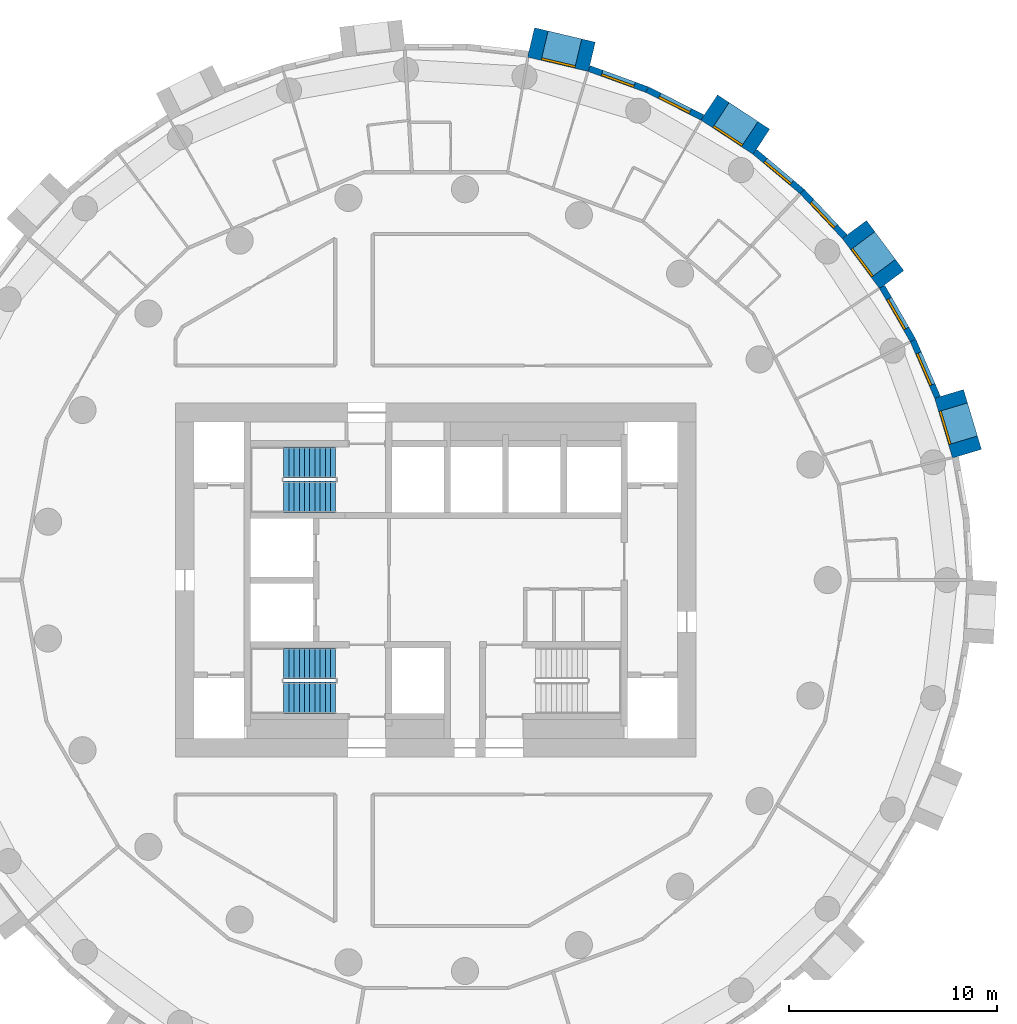
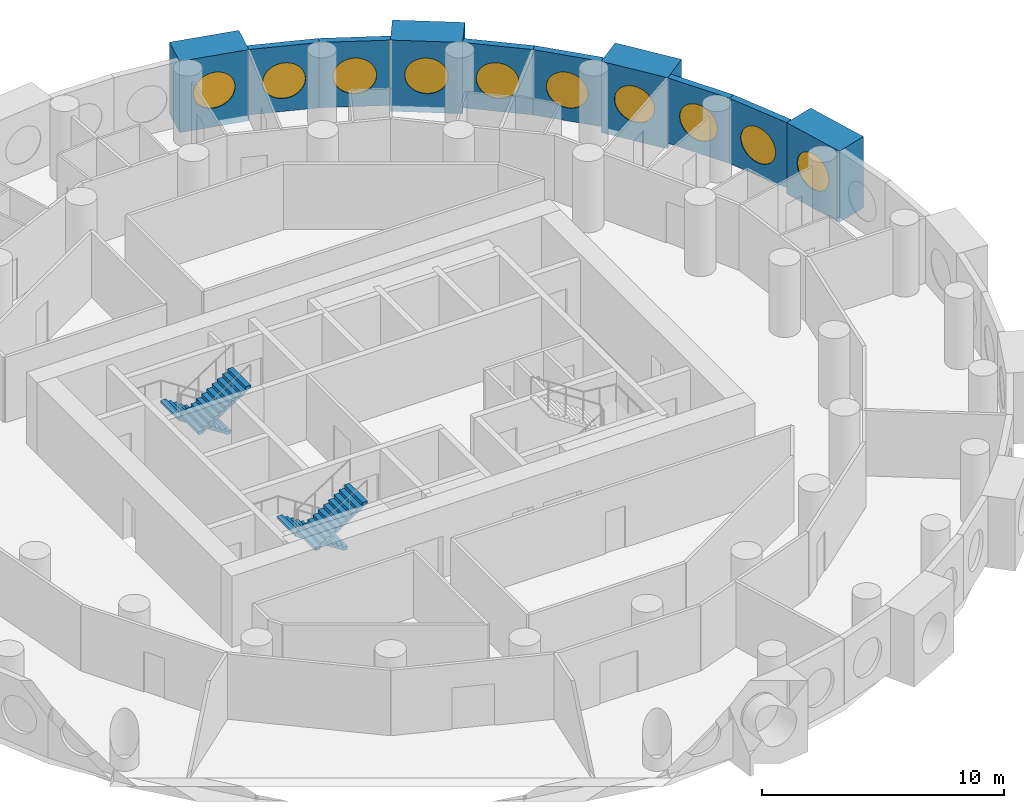
# One storey, part 8 of 10: 10 walls, 10 windows, 4 stair flights, 10 openings, 2 elements without a shape of their own.
"""IFC4 building model written with IfcOpenShell, lengths in metres."""

from ifc_helpers import new_model, si_unit, direction, frame, frame_2d, origin, origin_2d, place, context, subcontext, project, spatial, polyline, rectangle, circle, outline, extrude, material, layer, layer_set, type_object, element, fill, aggregate, save


model = new_model("IFC4")

# Units and contexts
model_context = context("Model", 3, precision=1e-05, world=origin(), true_north=direction((0.0, 1.0)))
body_context = subcontext(model_context, "Body", "Model", "MODEL_VIEW")
ifc_project = project(units=[si_unit("LENGTHUNIT", "METRE"), si_unit("AREAUNIT", "SQUARE_METRE"), si_unit("VOLUMEUNIT", "CUBIC_METRE"), si_unit("PLANEANGLEUNIT", "RADIAN"), si_unit("MASSUNIT", "GRAM", prefix="KILO")], contexts=[model_context])

# Site, building, storey
site_placement = place(None, origin())
site = spatial("IfcSite", under=ifc_project, at=site_placement, CompositionType="ELEMENT")
building_placement = place(site_placement, origin())
building = spatial("IfcBuilding", under=site, at=building_placement, Name="Tracery Tower", CompositionType="ELEMENT")
storey_placement = place(building_placement, frame((0.0, 0.0, 133.199951171875)))
storey = spatial("IfcBuildingStorey", under=building, at=storey_placement, Name="L33", CompositionType="ELEMENT", Elevation=133.199951171875)

# Wall, opening, window
ifc_material_1 = material(Name="Precast concrete C50/60", Category="concrete")
ifc_layer_1 = layer(ifc_material_1, 1.449951171875)
ifc_layer_set_1 = layer_set([ifc_layer_1], Name="Deep-set bay unit 3000 x 3600, slab edge 300")
wall_type_1 = type_object("IfcWallType", Name="Deep-set bay unit 3000 x 3600, slab edge 300", PredefinedType="ELEMENTEDWALL", material=ifc_layer_set_1)
wall_1_placement = place(storey_placement, frame((25.509521484375, 6.0712890625, -0.300048828125), z_axis=(0.0, 0.0, 1.0), x_axis=(-0.286780420304, 0.957996341606, 0.0)))
wall_1 = element("IfcWall", 1, at=wall_1_placement, inside=storey, type_object=wall_type_1, Name="Deep-set bay unit 3 at L33", PredefinedType="ELEMENTEDWALL", context=body_context, shape_type="SweptSolid", body=[
    extrude(rectangle(XDim=3.0, YDim=1.449951171875, at=frame_2d((1.5, 0.0))), origin(), (0.0, 0.0, 1.0), 3.60009765625),
])
opening_1_placement = place(wall_1_placement, frame((1.5, 0.0, 1.85009765625)))
opening_1 = element("IfcOpeningElement", 2, at=opening_1_placement, cuts=wall_1, Name="Opening WN1", PredefinedType="OPENING", context=body_context, shape_type="SweptSolid", body=[
    extrude(circle(Radius=0.9000244140625, at=origin_2d()), frame((0.0, 0.73486328125, 0.0), z_axis=(0.0, -1.0, 0.0), x_axis=(1.0, 0.0, 0.0)), (0.0, 0.0, 1.0), 1.469970703125),
])
ifc_material_2 = material(Name="Aluminium frame with tinted double glazing", Category="aluminium")
window_type = type_object("IfcWindowType", Name="Round window 1800", PartitioningType="SINGLE_PANEL", PredefinedType="WINDOW", material=ifc_material_2)
window_1_placement = place(opening_1_placement, origin())
window_1 = element("IfcWindow", 3, at=window_1_placement, inside=storey, type_object=window_type, Name="Round window 3 at L33", OverallHeight=1.800048828125, OverallWidth=1.800048828125, PartitioningType="SINGLE_PANEL", PredefinedType="WINDOW", context=body_context, shape_type="SweptSolid", body=[
    extrude(circle(Radius=0.9000244140625, at=origin_2d()), frame((0.0, 0.69482421875, 0.0), z_axis=(0.0, -1.0, 0.0), x_axis=(1.0, 0.0, 0.0)), (0.0, 0.0, 1.0), 0.10009765625),
])
fill(opening_1, window_1)

wall_2_placement = place(storey_placement, frame((21.89453125, 14.429931640625, -0.300048828125), z_axis=(0.0, 0.0, 1.0), x_axis=(-0.597183717734, 0.802104486506, 0.0)))
wall_2 = element("IfcWall", 4, at=wall_2_placement, inside=storey, type_object=wall_type_1, Name="Deep-set bay unit 6 at L33", PredefinedType="ELEMENTEDWALL", context=body_context, shape_type="SweptSolid", body=[
    extrude(rectangle(XDim=3.0, YDim=1.449951171875, at=frame_2d((1.5, 0.0))), origin(), (0.0, 0.0, 1.0), 3.60009765625),
])
opening_2_placement = place(wall_2_placement, frame((1.5, 0.0, 1.85009765625)))
opening_2 = element("IfcOpeningElement", 5, at=opening_2_placement, cuts=wall_2, Name="Opening WN1", PredefinedType="OPENING", context=body_context, shape_type="SweptSolid", body=[
    extrude(circle(Radius=0.9000244140625, at=origin_2d()), frame((0.0, 0.73486328125, 0.0), z_axis=(0.0, -1.0, 0.0), x_axis=(1.0, 0.0, 0.0)), (0.0, 0.0, 1.0), 1.469970703125),
])
window_2_placement = place(opening_2_placement, origin())
window_2 = element("IfcWindow", 6, at=window_2_placement, inside=storey, type_object=window_type, Name="Round window 6 at L33", OverallHeight=1.800048828125, OverallWidth=1.800048828125, PartitioningType="SINGLE_PANEL", PredefinedType="WINDOW", context=body_context, shape_type="SweptSolid", body=[
    extrude(circle(Radius=0.9000244140625, at=origin_2d()), frame((0.0, 0.69482421875, 0.0), z_axis=(0.0, -1.0, 0.0), x_axis=(1.0, 0.0, 0.0)), (0.0, 0.0, 1.0), 0.10009765625),
])
fill(opening_2, window_2)

wall_3_placement = place(storey_placement, frame((15.638916015625, 21.048095703125, -0.300048828125), z_axis=(0.0, 0.0, 1.0), x_axis=(-0.835514416706, 0.549468524554, 0.0)))
wall_3 = element("IfcWall", 7, at=wall_3_placement, inside=storey, type_object=wall_type_1, Name="Deep-set bay unit 9 at L33", PredefinedType="ELEMENTEDWALL", context=body_context, shape_type="SweptSolid", body=[
    extrude(rectangle(XDim=3.0, YDim=1.449951171875, at=frame_2d((1.5, 0.0))), origin(), (0.0, 0.0, 1.0), 3.60009765625),
])
opening_3_placement = place(wall_3_placement, frame((1.5, 0.0, 1.85009765625)))
opening_3 = element("IfcOpeningElement", 8, at=opening_3_placement, cuts=wall_3, Name="Opening WN1", PredefinedType="OPENING", context=body_context, shape_type="SweptSolid", body=[
    extrude(circle(Radius=0.9000244140625, at=origin_2d()), frame((0.0, 0.73486328125, 0.0), z_axis=(0.0, -1.0, 0.0), x_axis=(1.0, 0.0, 0.0)), (0.0, 0.0, 1.0), 1.469970703125),
])
window_3_placement = place(opening_3_placement, origin())
window_3 = element("IfcWindow", 9, at=window_3_placement, inside=storey, type_object=window_type, Name="Round window 9 at L33", OverallHeight=1.800048828125, OverallWidth=1.800048828125, PartitioningType="SINGLE_PANEL", PredefinedType="WINDOW", context=body_context, shape_type="SweptSolid", body=[
    extrude(circle(Radius=0.9000244140625, at=origin_2d()), frame((0.0, 0.69482421875, 0.0), z_axis=(0.0, -1.0, 0.0), x_axis=(1.0, 0.0, 0.0)), (0.0, 0.0, 1.0), 0.10009765625),
])
fill(opening_3, window_3)

wall_4_placement = place(storey_placement, frame((7.496826171875, 25.12744140625, -0.300048828125), z_axis=(0.0, 0.0, 1.0), x_axis=(-0.973042333261, 0.23062657627, 0.0)))
wall_4 = element("IfcWall", 10, at=wall_4_placement, inside=storey, type_object=wall_type_1, Name="Deep-set bay unit 12 at L33", PredefinedType="ELEMENTEDWALL", context=body_context, shape_type="SweptSolid", body=[
    extrude(rectangle(XDim=3.0, YDim=1.449951171875, at=frame_2d((1.5, 0.0))), origin(), (0.0, 0.0, 1.0), 3.60009765625),
])
opening_4_placement = place(wall_4_placement, frame((1.5, 0.0, 1.85009765625)))
opening_4 = element("IfcOpeningElement", 11, at=opening_4_placement, cuts=wall_4, Name="Opening WN1", PredefinedType="OPENING", context=body_context, shape_type="SweptSolid", body=[
    extrude(circle(Radius=0.9000244140625, at=origin_2d()), frame((0.0, 0.73486328125, 0.0), z_axis=(0.0, -1.0, 0.0), x_axis=(1.0, 0.0, 0.0)), (0.0, 0.0, 1.0), 1.469970703125),
])
window_4_placement = place(opening_4_placement, origin())
window_4 = element("IfcWindow", 12, at=window_4_placement, inside=storey, type_object=window_type, Name="Round window 12 at L33", OverallHeight=1.800048828125, OverallWidth=1.800048828125, PartitioningType="SINGLE_PANEL", PredefinedType="WINDOW", context=body_context, shape_type="SweptSolid", body=[
    extrude(circle(Radius=0.9000244140625, at=origin_2d()), frame((0.0, 0.69482421875, 0.0), z_axis=(0.0, -1.0, 0.0), x_axis=(1.0, 0.0, 0.0)), (0.0, 0.0, 1.0), 0.10009765625),
])
fill(opening_4, window_4)

ifc_material_3 = material(Name="Precast concrete C50/60", Category="concrete")
ifc_layer_2 = layer(ifc_material_3, 0.300048828125)
ifc_layer_set_2 = layer_set([ifc_layer_2], Name="Facade panel 3000 x 3300")
wall_type_2 = type_object("IfcWallType", Name="Facade panel 3000 x 3300", PredefinedType="SOLIDWALL", material=ifc_layer_set_2)
wall_5_placement = place(storey_placement, frame((24.096923828125, 8.78076171875, 0.0), z_axis=(0.0, 0.0, 1.0), x_axis=(-0.396078892785, 0.918216483565, 0.0)))
wall_5 = element("IfcWall", 13, at=wall_5_placement, inside=storey, type_object=wall_type_2, Name="Facade panel 4 at L33", PredefinedType="SOLIDWALL", context=body_context, shape_type="SweptSolid", body=[
    extrude(rectangle(XDim=2.972900390625, YDim=0.300048828125, at=frame_2d((1.486328125, 0.0))), origin(), (0.0, 0.0, 1.0), 3.300048828125),
])
opening_5_placement = place(wall_5_placement, frame((1.486328125, 0.0, 1.5498046875)))
opening_5 = element("IfcOpeningElement", 14, at=opening_5_placement, cuts=wall_5, Name="Opening WN1", PredefinedType="OPENING", context=body_context, shape_type="SweptSolid", body=[
    extrude(circle(Radius=0.9000244140625, at=origin_2d()), frame((0.0, 0.159912109375, 0.0), z_axis=(0.0, -1.0, 0.0), x_axis=(1.0, 0.0, 0.0)), (0.0, 0.0, 1.0), 0.320068359375),
])
window_5_placement = place(opening_5_placement, origin())
window_5 = element("IfcWindow", 15, at=window_5_placement, inside=storey, type_object=window_type, Name="Round window 4 at L33", OverallHeight=1.800048828125, OverallWidth=1.800048828125, PartitioningType="SINGLE_PANEL", PredefinedType="WINDOW", context=body_context, shape_type="SweptSolid", body=[
    extrude(circle(Radius=0.9000244140625, at=origin_2d()), frame((0.0, 0.1201171875, 0.0), z_axis=(0.0, -1.0, 0.0), x_axis=(1.0, 0.0, 0.0)), (0.0, 0.0, 1.0), 0.10009765625),
])
fill(opening_5, window_5)

wall_6_placement = place(storey_placement, frame((22.91943359375, 11.510498046875, 0.0), z_axis=(0.0, 0.0, 1.0), x_axis=(-0.500016263033, 0.866016014115, 0.0)))
wall_6 = element("IfcWall", 16, at=wall_6_placement, inside=storey, type_object=wall_type_2, Name="Facade panel 5 at L33", PredefinedType="SOLIDWALL", context=body_context, shape_type="SweptSolid", body=[
    extrude(rectangle(XDim=2.97314453125, YDim=0.300048828125, at=frame_2d((1.486572265625, 0.0))), origin(), (0.0, 0.0, 1.0), 3.300048828125),
])
opening_6_placement = place(wall_6_placement, frame((1.486328125, 0.0, 1.5498046875)))
opening_6 = element("IfcOpeningElement", 17, at=opening_6_placement, cuts=wall_6, Name="Opening WN1", PredefinedType="OPENING", context=body_context, shape_type="SweptSolid", body=[
    extrude(circle(Radius=0.9000244140625, at=origin_2d()), frame((0.0, 0.159912109375, 0.0), z_axis=(0.0, -1.0, 0.0), x_axis=(1.0, 0.0, 0.0)), (0.0, 0.0, 1.0), 0.320068359375),
])
window_6_placement = place(opening_6_placement, origin())
window_6 = element("IfcWindow", 18, at=window_6_placement, inside=storey, type_object=window_type, Name="Round window 5 at L33", OverallHeight=1.800048828125, OverallWidth=1.800048828125, PartitioningType="SINGLE_PANEL", PredefinedType="WINDOW", context=body_context, shape_type="SweptSolid", body=[
    extrude(circle(Radius=0.9000244140625, at=origin_2d()), frame((0.0, 0.1201171875, 0.0), z_axis=(0.0, -1.0, 0.0), x_axis=(1.0, 0.0, 0.0)), (0.0, 0.0, 1.0), 0.10009765625),
])
fill(opening_6, window_6)

wall_7_placement = place(storey_placement, frame((19.640380859375, 16.492919921875, 0.0), z_axis=(0.0, 0.0, 1.0), x_axis=(-0.686235184166, 0.727379730273, 0.0)))
wall_7 = element("IfcWall", 19, at=wall_7_placement, inside=storey, type_object=wall_type_2, Name="Facade panel 7 at L33", PredefinedType="SOLIDWALL", context=body_context, shape_type="SweptSolid", body=[
    extrude(rectangle(XDim=2.972900390625, YDim=0.300048828125, at=frame_2d((1.486328125, 0.0))), origin(), (0.0, 0.0, 1.0), 3.300048828125),
])
opening_7_placement = place(wall_7_placement, frame((1.486328125, 0.0, 1.5498046875)))
opening_7 = element("IfcOpeningElement", 20, at=opening_7_placement, cuts=wall_7, Name="Opening WN1", PredefinedType="OPENING", context=body_context, shape_type="SweptSolid", body=[
    extrude(circle(Radius=0.9000244140625, at=origin_2d()), frame((0.0, 0.159912109375, 0.0), z_axis=(0.0, -1.0, 0.0), x_axis=(1.0, 0.0, 0.0)), (0.0, 0.0, 1.0), 0.320068359375),
])
window_7_placement = place(opening_7_placement, origin())
window_7 = element("IfcWindow", 21, at=window_7_placement, inside=storey, type_object=window_type, Name="Round window 7 at L33", OverallHeight=1.800048828125, OverallWidth=1.800048828125, PartitioningType="SINGLE_PANEL", PredefinedType="WINDOW", context=body_context, shape_type="SweptSolid", body=[
    extrude(circle(Radius=0.9000244140625, at=origin_2d()), frame((0.0, 0.1201171875, 0.0), z_axis=(0.0, -1.0, 0.0), x_axis=(1.0, 0.0, 0.0)), (0.0, 0.0, 1.0), 0.10009765625),
])
fill(opening_7, window_7)

wall_8_placement = place(storey_placement, frame((17.600341796875, 18.6552734375, 0.0), z_axis=(0.0, 0.0, 1.0), x_axis=(-0.766049350637, 0.642781761089, 0.0)))
wall_8 = element("IfcWall", 22, at=wall_8_placement, inside=storey, type_object=wall_type_2, Name="Facade panel 8 at L33", PredefinedType="SOLIDWALL", context=body_context, shape_type="SweptSolid", body=[
    extrude(rectangle(XDim=2.972900390625, YDim=0.300048828125, at=frame_2d((1.486328125, 0.0))), origin(), (0.0, 0.0, 1.0), 3.300048828125),
])
opening_8_placement = place(wall_8_placement, frame((1.486328125, 0.0, 1.5498046875)))
opening_8 = element("IfcOpeningElement", 23, at=opening_8_placement, cuts=wall_8, Name="Opening WN1", PredefinedType="OPENING", context=body_context, shape_type="SweptSolid", body=[
    extrude(circle(Radius=0.9000244140625, at=origin_2d()), frame((0.0, 0.159912109375, 0.0), z_axis=(0.0, -1.0, 0.0), x_axis=(1.0, 0.0, 0.0)), (0.0, 0.0, 1.0), 0.320068359375),
])
window_8_placement = place(opening_8_placement, origin())
window_8 = element("IfcWindow", 24, at=window_8_placement, inside=storey, type_object=window_type, Name="Round window 8 at L33", OverallHeight=1.800048828125, OverallWidth=1.800048828125, PartitioningType="SINGLE_PANEL", PredefinedType="WINDOW", context=body_context, shape_type="SweptSolid", body=[
    extrude(circle(Radius=0.9000244140625, at=origin_2d()), frame((0.0, 0.1201171875, 0.0), z_axis=(0.0, -1.0, 0.0), x_axis=(1.0, 0.0, 0.0)), (0.0, 0.0, 1.0), 0.10009765625),
])
fill(opening_8, window_8)

wall_9_placement = place(storey_placement, frame((12.815185546875, 22.215576171875, 0.0), z_axis=(0.0, 0.0, 1.0), x_axis=(-0.893637442555, 0.448789618045, 0.0)))
wall_9 = element("IfcWall", 25, at=wall_9_placement, inside=storey, type_object=wall_type_2, Name="Facade panel 10 at L33", PredefinedType="SOLIDWALL", context=body_context, shape_type="SweptSolid", body=[
    extrude(rectangle(XDim=2.972900390625, YDim=0.300048828125, at=frame_2d((1.486328125, 0.0))), origin(), (0.0, 0.0, 1.0), 3.300048828125),
])
opening_9_placement = place(wall_9_placement, frame((1.486328125, 0.0, 1.5498046875)))
opening_9 = element("IfcOpeningElement", 26, at=opening_9_placement, cuts=wall_9, Name="Opening WN1", PredefinedType="OPENING", context=body_context, shape_type="SweptSolid", body=[
    extrude(circle(Radius=0.9000244140625, at=origin_2d()), frame((0.0, 0.159912109375, 0.0), z_axis=(0.0, -1.0, 0.0), x_axis=(1.0, 0.0, 0.0)), (0.0, 0.0, 1.0), 0.320068359375),
])
window_9_placement = place(opening_9_placement, origin())
window_9 = element("IfcWindow", 27, at=window_9_placement, inside=storey, type_object=window_type, Name="Round window 10 at L33", OverallHeight=1.800048828125, OverallWidth=1.800048828125, PartitioningType="SINGLE_PANEL", PredefinedType="WINDOW", context=body_context, shape_type="SweptSolid", body=[
    extrude(circle(Radius=0.9000244140625, at=origin_2d()), frame((0.0, 0.1201171875, 0.0), z_axis=(0.0, -1.0, 0.0), x_axis=(1.0, 0.0, 0.0)), (0.0, 0.0, 1.0), 0.10009765625),
])
fill(opening_9, window_9)

wall_10_placement = place(storey_placement, frame((10.158447265625, 23.5498046875, 0.0), z_axis=(0.0, 0.0, 1.0), x_axis=(-0.939690282133, 0.342026568652, 0.0)))
wall_10 = element("IfcWall", 28, at=wall_10_placement, inside=storey, type_object=wall_type_2, Name="Facade panel 11 at L33", PredefinedType="SOLIDWALL", context=body_context, shape_type="SweptSolid", body=[
    extrude(rectangle(XDim=2.972900390625, YDim=0.300048828125, at=frame_2d((1.486328125, 0.0))), origin(), (0.0, 0.0, 1.0), 3.300048828125),
])
opening_10_placement = place(wall_10_placement, frame((1.486328125, 0.0, 1.5498046875)))
opening_10 = element("IfcOpeningElement", 29, at=opening_10_placement, cuts=wall_10, Name="Opening WN1", PredefinedType="OPENING", context=body_context, shape_type="SweptSolid", body=[
    extrude(circle(Radius=0.9000244140625, at=origin_2d()), frame((0.0, 0.159912109375, 0.0), z_axis=(0.0, -1.0, 0.0), x_axis=(1.0, 0.0, 0.0)), (0.0, 0.0, 1.0), 0.320068359375),
])
window_10_placement = place(opening_10_placement, origin())
window_10 = element("IfcWindow", 30, at=window_10_placement, inside=storey, type_object=window_type, Name="Round window 11 at L33", OverallHeight=1.800048828125, OverallWidth=1.800048828125, PartitioningType="SINGLE_PANEL", PredefinedType="WINDOW", context=body_context, shape_type="SweptSolid", body=[
    extrude(circle(Radius=0.9000244140625, at=origin_2d()), frame((0.0, 0.1201171875, 0.0), z_axis=(0.0, -1.0, 0.0), x_axis=(1.0, 0.0, 0.0)), (0.0, 0.0, 1.0), 0.10009765625),
])
fill(opening_10, window_10)

# Stair, stair flights
ifc_material_4 = material(Name="Concrete C32/40", Category="concrete")
stair_type = type_object("IfcStairType", Name="Core stair 22 risers", PredefinedType="HALF_TURN_STAIR", material=ifc_material_4)
stair_1_placement = place(storey_placement, origin())
stair_1 = element("IfcStair", 31, at=stair_1_placement, inside=storey, type_object=stair_type, Name="L33 stair ST1", PredefinedType="HALF_TURN_STAIR")
ifc_material_5 = material(Name="Concrete C32/40", Category="concrete")
stair_flight_type = type_object("IfcStairFlightType", Name="Core stair flight 11 risers", PredefinedType="STRAIGHT", material=ifc_material_5)
stair_flight_1_placement = place(storey_placement, frame((-4.800048828125, -4.0, 0.0), z_axis=(0.0, 0.0, 1.0), x_axis=(-1.0, 0.0, 0.0)))
stair_flight_1 = element("IfcStairFlight", 32, at=stair_flight_1_placement, type_object=stair_flight_type, Name="ST1 flight 1", NumberOfRisers=11, NumberOfTreads=10, PredefinedType="STRAIGHT", RiserHeight=0.163636364, TreadLength=0.25, context=body_context, shape_type="SweptSolid", body=[
    extrude(outline(polyline([(0.0, 0.0), (0.0, 0.002685546875), (0.0, 0.00537109375), (0.0, 0.008056640625), (0.0, 0.0107421875), (0.0, 0.013427734375), (0.0, 0.01611328125), (0.0, 0.018798828125), (0.0, 0.021484375), (0.0, 0.024169921875), (0.0, 0.02685546875), (0.0, 0.029541015625), (0.0, 0.0322265625), (0.0, 0.034912109375), (0.0, 0.03759765625), (0.0, 0.040283203125), (0.0, 0.04296875), (0.0, 0.045654296875), (0.0, 0.04833984375), (0.0, 0.051025390625), (0.0, 0.0537109375), (0.0, 0.056396484375), (0.0, 0.05908203125), (0.0, 0.061767578125), (0.0, 0.064453125), (0.0, 0.067138671875), (0.0, 0.06982421875), (0.0, 0.072509765625), (0.0, 0.0751953125), (0.0, 0.077880859375), (0.0, 0.08056640625), (0.0, 0.083251953125), (0.0, 0.0859375), (0.0, 0.088623046875), (0.0, 0.09130859375), (0.0, 0.093994140625), (0.0, 0.0966796875), (0.0, 0.099365234375), (0.0, 0.10205078125), (0.0, 0.104736328125), (0.0, 0.107421875), (0.0, 0.10986328125), (0.0, 0.112548828125), (0.0, 0.115234375), (0.0, 0.117919921875), (0.0, 0.12060546875), (0.0, 0.123291015625), (0.0, 0.1259765625), (0.0, 0.128662109375), (0.0, 0.13134765625), (0.0, 0.134033203125), (0.0, 0.13671875), (0.0, 0.139404296875), (0.0, 0.14208984375), (0.0, 0.144775390625), (0.0, 0.1474609375), (0.0, 0.150146484375), (0.0, 0.15283203125), (0.0, 0.155517578125), (0.0, 0.158203125), (0.0, 0.160888671875), (0.0, 0.16357421875), (0.25, 0.16357421875), (0.25, 0.327392578125), (0.5, 0.327392578125), (0.5, 0.490966796875), (0.75, 0.490966796875), (0.75, 0.654541015625), (1.0, 0.654541015625), (1.0, 0.818115234375), (1.25, 0.818115234375), (1.25, 0.98193359375), (1.5, 0.98193359375), (1.5, 1.1455078125), (1.75, 1.1455078125), (1.75, 1.30908203125), (2.0, 1.30908203125), (2.0, 1.47265625), (2.25, 1.47265625), (2.25, 1.636474609375), (2.5, 1.636474609375), (2.5, 1.634521484375), (2.5, 1.63232421875), (2.5, 1.63037109375), (2.5, 1.62841796875), (2.5, 1.62646484375), (2.5, 1.62451171875), (2.5, 1.62255859375), (2.5, 1.62060546875), (2.5, 1.61865234375), (2.5, 1.61669921875), (2.5, 1.61474609375), (2.5, 1.61279296875), (2.5, 1.61083984375), (2.5, 1.60888671875), (2.5, 1.60693359375), (2.5, 1.60498046875), (2.5, 1.60302734375), (2.5, 1.60107421875), (2.5, 1.59912109375), (2.5, 1.59716796875), (2.5, 1.59521484375), (2.5, 1.59326171875), (2.5, 1.59130859375), (2.5, 1.58935546875), (2.5, 1.58740234375), (2.5, 1.58544921875), (2.5, 1.58349609375), (2.5, 1.58154296875), (2.5, 1.57958984375), (2.5, 1.57763671875), (2.5, 1.57568359375), (2.5, 1.573486328125), (2.5, 1.571533203125), (2.5, 1.569580078125), (2.5, 1.567626953125), (2.5, 1.565673828125), (2.5, 1.563720703125), (2.5, 1.561767578125), (2.5, 1.559814453125), (2.5, 1.557861328125), (2.5, 1.555908203125), (2.5, 1.553955078125), (2.5, 1.552001953125), (2.5, 1.550048828125), (2.5, 1.548095703125), (2.5, 1.546142578125), (2.5, 1.544189453125), (2.5, 1.542236328125), (2.5, 1.540283203125), (2.5, 1.538330078125), (2.5, 1.536376953125), (2.5, 1.534423828125), (2.5, 1.532470703125), (2.5, 1.530517578125), (2.5, 1.528564453125), (2.5, 1.526611328125), (2.5, 1.524658203125), (2.5, 1.522705078125), (2.5, 1.520751953125), (2.5, 1.518798828125), (2.5, 1.516845703125), (0.182861328125, 0.0), (0.0, 0.0)])), frame((0.0, 0.75, 0.0), z_axis=(0.0, -1.0, 0.0), x_axis=(1.0, 0.0, 0.0)), (0.0, 0.0, 1.0), 1.5),
])
stair_flight_2_placement = place(storey_placement, frame((-7.300048828125, -5.64990234375, 1.800048828125), z_axis=(0.0, 0.0, 1.0), x_axis=(1.0, 0.0, 0.0)))
stair_flight_2 = element("IfcStairFlight", 33, at=stair_flight_2_placement, type_object=stair_flight_type, Name="ST1 flight 2", NumberOfRisers=11, NumberOfTreads=10, PredefinedType="STRAIGHT", RiserHeight=0.163636364, TreadLength=0.25, context=body_context, shape_type="SweptSolid", body=[
    extrude(outline(polyline([(0.0, 0.0), (0.0, 0.002685546875), (0.0, 0.00537109375), (0.0, 0.008056640625), (0.0, 0.0107421875), (0.0, 0.013427734375), (0.0, 0.01611328125), (0.0, 0.018798828125), (0.0, 0.021484375), (0.0, 0.024169921875), (0.0, 0.02685546875), (0.0, 0.029541015625), (0.0, 0.0322265625), (0.0, 0.034912109375), (0.0, 0.03759765625), (0.0, 0.040283203125), (0.0, 0.04296875), (0.0, 0.045654296875), (0.0, 0.04833984375), (0.0, 0.051025390625), (0.0, 0.0537109375), (0.0, 0.056396484375), (0.0, 0.05908203125), (0.0, 0.061767578125), (0.0, 0.064453125), (0.0, 0.067138671875), (0.0, 0.06982421875), (0.0, 0.072509765625), (0.0, 0.0751953125), (0.0, 0.077880859375), (0.0, 0.08056640625), (0.0, 0.083251953125), (0.0, 0.0859375), (0.0, 0.088623046875), (0.0, 0.09130859375), (0.0, 0.093994140625), (0.0, 0.0966796875), (0.0, 0.099365234375), (0.0, 0.10205078125), (0.0, 0.104736328125), (0.0, 0.107421875), (0.0, 0.10986328125), (0.0, 0.112548828125), (0.0, 0.115234375), (0.0, 0.117919921875), (0.0, 0.12060546875), (0.0, 0.123291015625), (0.0, 0.1259765625), (0.0, 0.128662109375), (0.0, 0.13134765625), (0.0, 0.134033203125), (0.0, 0.13671875), (0.0, 0.139404296875), (0.0, 0.14208984375), (0.0, 0.144775390625), (0.0, 0.1474609375), (0.0, 0.150146484375), (0.0, 0.15283203125), (0.0, 0.155517578125), (0.0, 0.158203125), (0.0, 0.160888671875), (0.0, 0.16357421875), (0.25, 0.16357421875), (0.25, 0.327392578125), (0.5, 0.327392578125), (0.5, 0.490966796875), (0.75, 0.490966796875), (0.75, 0.654541015625), (1.0, 0.654541015625), (1.0, 0.818115234375), (1.25, 0.818115234375), (1.25, 0.98193359375), (1.5, 0.98193359375), (1.5, 1.1455078125), (1.75, 1.1455078125), (1.75, 1.30908203125), (2.0, 1.30908203125), (2.0, 1.47265625), (2.25, 1.47265625), (2.25, 1.636474609375), (2.5, 1.636474609375), (2.5, 1.634521484375), (2.5, 1.63232421875), (2.5, 1.63037109375), (2.5, 1.62841796875), (2.5, 1.62646484375), (2.5, 1.62451171875), (2.5, 1.62255859375), (2.5, 1.62060546875), (2.5, 1.61865234375), (2.5, 1.61669921875), (2.5, 1.61474609375), (2.5, 1.61279296875), (2.5, 1.61083984375), (2.5, 1.60888671875), (2.5, 1.60693359375), (2.5, 1.60498046875), (2.5, 1.60302734375), (2.5, 1.60107421875), (2.5, 1.59912109375), (2.5, 1.59716796875), (2.5, 1.59521484375), (2.5, 1.59326171875), (2.5, 1.59130859375), (2.5, 1.58935546875), (2.5, 1.58740234375), (2.5, 1.58544921875), (2.5, 1.58349609375), (2.5, 1.58154296875), (2.5, 1.57958984375), (2.5, 1.57763671875), (2.5, 1.57568359375), (2.5, 1.573486328125), (2.5, 1.571533203125), (2.5, 1.569580078125), (2.5, 1.567626953125), (2.5, 1.565673828125), (2.5, 1.563720703125), (2.5, 1.561767578125), (2.5, 1.559814453125), (2.5, 1.557861328125), (2.5, 1.555908203125), (2.5, 1.553955078125), (2.5, 1.552001953125), (2.5, 1.550048828125), (2.5, 1.548095703125), (2.5, 1.546142578125), (2.5, 1.544189453125), (2.5, 1.542236328125), (2.5, 1.540283203125), (2.5, 1.538330078125), (2.5, 1.536376953125), (2.5, 1.534423828125), (2.5, 1.532470703125), (2.5, 1.530517578125), (2.5, 1.528564453125), (2.5, 1.526611328125), (2.5, 1.524658203125), (2.5, 1.522705078125), (2.5, 1.520751953125), (2.5, 1.518798828125), (2.5, 1.516845703125), (0.182861328125, 0.0), (0.0, 0.0)])), frame((0.0, 0.75, 0.0), z_axis=(0.0, -1.0, 0.0), x_axis=(1.0, 0.0, 0.0)), (0.0, 0.0, 1.0), 1.5),
])
aggregate(stair_1, [stair_flight_1, stair_flight_2])

stair_2_placement = place(storey_placement, origin())
stair_2 = element("IfcStair", 34, at=stair_2_placement, inside=storey, type_object=stair_type, Name="L33 stair ST3", PredefinedType="HALF_TURN_STAIR")
stair_flight_3_placement = place(storey_placement, frame((-4.800048828125, 5.64990234375, 0.0), z_axis=(0.0, 0.0, 1.0), x_axis=(-1.0, 0.0, 0.0)))
stair_flight_3 = element("IfcStairFlight", 35, at=stair_flight_3_placement, type_object=stair_flight_type, Name="ST3 flight 1", NumberOfRisers=11, NumberOfTreads=10, PredefinedType="STRAIGHT", RiserHeight=0.163636364, TreadLength=0.25, context=body_context, shape_type="SweptSolid", body=[
    extrude(outline(polyline([(0.0, 0.0), (0.0, 0.002685546875), (0.0, 0.00537109375), (0.0, 0.008056640625), (0.0, 0.0107421875), (0.0, 0.013427734375), (0.0, 0.01611328125), (0.0, 0.018798828125), (0.0, 0.021484375), (0.0, 0.024169921875), (0.0, 0.02685546875), (0.0, 0.029541015625), (0.0, 0.0322265625), (0.0, 0.034912109375), (0.0, 0.03759765625), (0.0, 0.040283203125), (0.0, 0.04296875), (0.0, 0.045654296875), (0.0, 0.04833984375), (0.0, 0.051025390625), (0.0, 0.0537109375), (0.0, 0.056396484375), (0.0, 0.05908203125), (0.0, 0.061767578125), (0.0, 0.064453125), (0.0, 0.067138671875), (0.0, 0.06982421875), (0.0, 0.072509765625), (0.0, 0.0751953125), (0.0, 0.077880859375), (0.0, 0.08056640625), (0.0, 0.083251953125), (0.0, 0.0859375), (0.0, 0.088623046875), (0.0, 0.09130859375), (0.0, 0.093994140625), (0.0, 0.0966796875), (0.0, 0.099365234375), (0.0, 0.10205078125), (0.0, 0.104736328125), (0.0, 0.107421875), (0.0, 0.10986328125), (0.0, 0.112548828125), (0.0, 0.115234375), (0.0, 0.117919921875), (0.0, 0.12060546875), (0.0, 0.123291015625), (0.0, 0.1259765625), (0.0, 0.128662109375), (0.0, 0.13134765625), (0.0, 0.134033203125), (0.0, 0.13671875), (0.0, 0.139404296875), (0.0, 0.14208984375), (0.0, 0.144775390625), (0.0, 0.1474609375), (0.0, 0.150146484375), (0.0, 0.15283203125), (0.0, 0.155517578125), (0.0, 0.158203125), (0.0, 0.160888671875), (0.0, 0.16357421875), (0.25, 0.16357421875), (0.25, 0.327392578125), (0.5, 0.327392578125), (0.5, 0.490966796875), (0.75, 0.490966796875), (0.75, 0.654541015625), (1.0, 0.654541015625), (1.0, 0.818115234375), (1.25, 0.818115234375), (1.25, 0.98193359375), (1.5, 0.98193359375), (1.5, 1.1455078125), (1.75, 1.1455078125), (1.75, 1.30908203125), (2.0, 1.30908203125), (2.0, 1.47265625), (2.25, 1.47265625), (2.25, 1.636474609375), (2.5, 1.636474609375), (2.5, 1.634521484375), (2.5, 1.63232421875), (2.5, 1.63037109375), (2.5, 1.62841796875), (2.5, 1.62646484375), (2.5, 1.62451171875), (2.5, 1.62255859375), (2.5, 1.62060546875), (2.5, 1.61865234375), (2.5, 1.61669921875), (2.5, 1.61474609375), (2.5, 1.61279296875), (2.5, 1.61083984375), (2.5, 1.60888671875), (2.5, 1.60693359375), (2.5, 1.60498046875), (2.5, 1.60302734375), (2.5, 1.60107421875), (2.5, 1.59912109375), (2.5, 1.59716796875), (2.5, 1.59521484375), (2.5, 1.59326171875), (2.5, 1.59130859375), (2.5, 1.58935546875), (2.5, 1.58740234375), (2.5, 1.58544921875), (2.5, 1.58349609375), (2.5, 1.58154296875), (2.5, 1.57958984375), (2.5, 1.57763671875), (2.5, 1.57568359375), (2.5, 1.573486328125), (2.5, 1.571533203125), (2.5, 1.569580078125), (2.5, 1.567626953125), (2.5, 1.565673828125), (2.5, 1.563720703125), (2.5, 1.561767578125), (2.5, 1.559814453125), (2.5, 1.557861328125), (2.5, 1.555908203125), (2.5, 1.553955078125), (2.5, 1.552001953125), (2.5, 1.550048828125), (2.5, 1.548095703125), (2.5, 1.546142578125), (2.5, 1.544189453125), (2.5, 1.542236328125), (2.5, 1.540283203125), (2.5, 1.538330078125), (2.5, 1.536376953125), (2.5, 1.534423828125), (2.5, 1.532470703125), (2.5, 1.530517578125), (2.5, 1.528564453125), (2.5, 1.526611328125), (2.5, 1.524658203125), (2.5, 1.522705078125), (2.5, 1.520751953125), (2.5, 1.518798828125), (2.5, 1.516845703125), (0.182861328125, 0.0), (0.0, 0.0)])), frame((0.0, 0.75, 0.0), z_axis=(0.0, -1.0, 0.0), x_axis=(1.0, 0.0, 0.0)), (0.0, 0.0, 1.0), 1.5),
])
stair_flight_4_placement = place(storey_placement, frame((-7.300048828125, 4.0, 1.800048828125), z_axis=(0.0, 0.0, 1.0), x_axis=(1.0, 0.0, 0.0)))
stair_flight_4 = element("IfcStairFlight", 36, at=stair_flight_4_placement, type_object=stair_flight_type, Name="ST3 flight 2", NumberOfRisers=11, NumberOfTreads=10, PredefinedType="STRAIGHT", RiserHeight=0.163636364, TreadLength=0.25, context=body_context, shape_type="SweptSolid", body=[
    extrude(outline(polyline([(0.0, 0.0), (0.0, 0.002685546875), (0.0, 0.00537109375), (0.0, 0.008056640625), (0.0, 0.0107421875), (0.0, 0.013427734375), (0.0, 0.01611328125), (0.0, 0.018798828125), (0.0, 0.021484375), (0.0, 0.024169921875), (0.0, 0.02685546875), (0.0, 0.029541015625), (0.0, 0.0322265625), (0.0, 0.034912109375), (0.0, 0.03759765625), (0.0, 0.040283203125), (0.0, 0.04296875), (0.0, 0.045654296875), (0.0, 0.04833984375), (0.0, 0.051025390625), (0.0, 0.0537109375), (0.0, 0.056396484375), (0.0, 0.05908203125), (0.0, 0.061767578125), (0.0, 0.064453125), (0.0, 0.067138671875), (0.0, 0.06982421875), (0.0, 0.072509765625), (0.0, 0.0751953125), (0.0, 0.077880859375), (0.0, 0.08056640625), (0.0, 0.083251953125), (0.0, 0.0859375), (0.0, 0.088623046875), (0.0, 0.09130859375), (0.0, 0.093994140625), (0.0, 0.0966796875), (0.0, 0.099365234375), (0.0, 0.10205078125), (0.0, 0.104736328125), (0.0, 0.107421875), (0.0, 0.10986328125), (0.0, 0.112548828125), (0.0, 0.115234375), (0.0, 0.117919921875), (0.0, 0.12060546875), (0.0, 0.123291015625), (0.0, 0.1259765625), (0.0, 0.128662109375), (0.0, 0.13134765625), (0.0, 0.134033203125), (0.0, 0.13671875), (0.0, 0.139404296875), (0.0, 0.14208984375), (0.0, 0.144775390625), (0.0, 0.1474609375), (0.0, 0.150146484375), (0.0, 0.15283203125), (0.0, 0.155517578125), (0.0, 0.158203125), (0.0, 0.160888671875), (0.0, 0.16357421875), (0.25, 0.16357421875), (0.25, 0.327392578125), (0.5, 0.327392578125), (0.5, 0.490966796875), (0.75, 0.490966796875), (0.75, 0.654541015625), (1.0, 0.654541015625), (1.0, 0.818115234375), (1.25, 0.818115234375), (1.25, 0.98193359375), (1.5, 0.98193359375), (1.5, 1.1455078125), (1.75, 1.1455078125), (1.75, 1.30908203125), (2.0, 1.30908203125), (2.0, 1.47265625), (2.25, 1.47265625), (2.25, 1.636474609375), (2.5, 1.636474609375), (2.5, 1.634521484375), (2.5, 1.63232421875), (2.5, 1.63037109375), (2.5, 1.62841796875), (2.5, 1.62646484375), (2.5, 1.62451171875), (2.5, 1.62255859375), (2.5, 1.62060546875), (2.5, 1.61865234375), (2.5, 1.61669921875), (2.5, 1.61474609375), (2.5, 1.61279296875), (2.5, 1.61083984375), (2.5, 1.60888671875), (2.5, 1.60693359375), (2.5, 1.60498046875), (2.5, 1.60302734375), (2.5, 1.60107421875), (2.5, 1.59912109375), (2.5, 1.59716796875), (2.5, 1.59521484375), (2.5, 1.59326171875), (2.5, 1.59130859375), (2.5, 1.58935546875), (2.5, 1.58740234375), (2.5, 1.58544921875), (2.5, 1.58349609375), (2.5, 1.58154296875), (2.5, 1.57958984375), (2.5, 1.57763671875), (2.5, 1.57568359375), (2.5, 1.573486328125), (2.5, 1.571533203125), (2.5, 1.569580078125), (2.5, 1.567626953125), (2.5, 1.565673828125), (2.5, 1.563720703125), (2.5, 1.561767578125), (2.5, 1.559814453125), (2.5, 1.557861328125), (2.5, 1.555908203125), (2.5, 1.553955078125), (2.5, 1.552001953125), (2.5, 1.550048828125), (2.5, 1.548095703125), (2.5, 1.546142578125), (2.5, 1.544189453125), (2.5, 1.542236328125), (2.5, 1.540283203125), (2.5, 1.538330078125), (2.5, 1.536376953125), (2.5, 1.534423828125), (2.5, 1.532470703125), (2.5, 1.530517578125), (2.5, 1.528564453125), (2.5, 1.526611328125), (2.5, 1.524658203125), (2.5, 1.522705078125), (2.5, 1.520751953125), (2.5, 1.518798828125), (2.5, 1.516845703125), (0.182861328125, 0.0), (0.0, 0.0)])), frame((0.0, 0.75, 0.0), z_axis=(0.0, -1.0, 0.0), x_axis=(1.0, 0.0, 0.0)), (0.0, 0.0, 1.0), 1.5),
])
aggregate(stair_2, [stair_flight_3, stair_flight_4])

save(model, "model.ifc")
